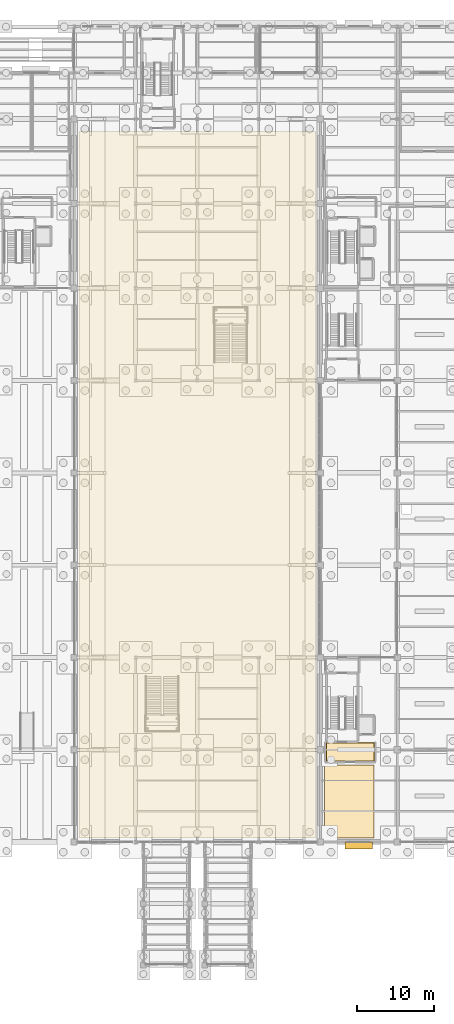
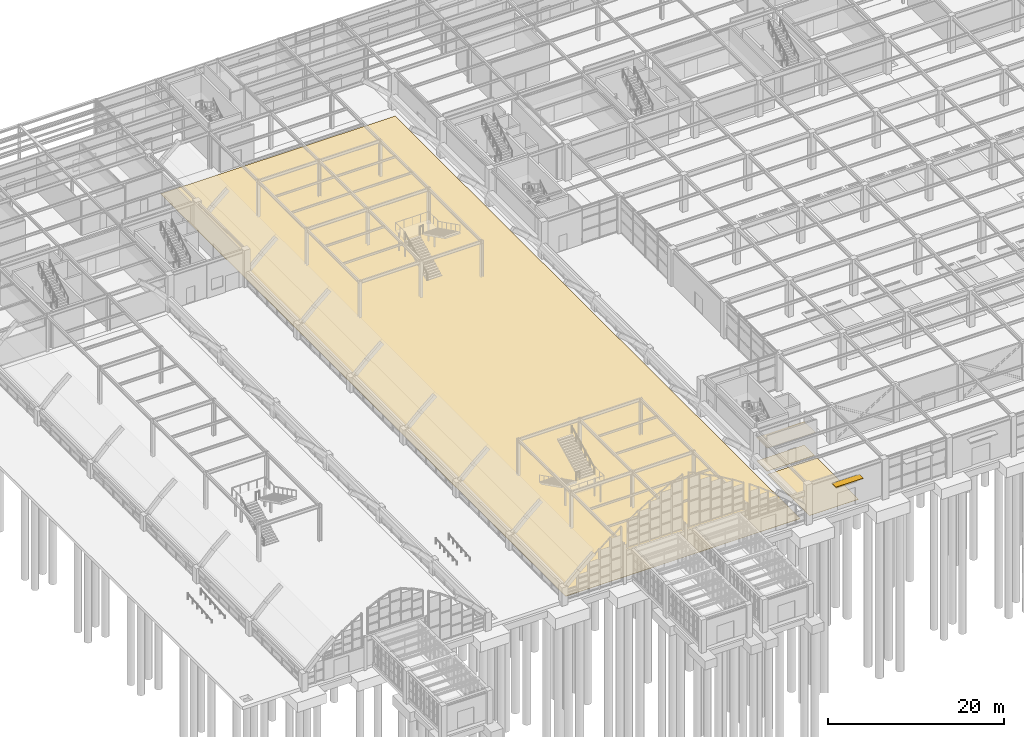
# One storey, part 118 of 129: 4 coverings, 1 shading device.
"""IFC4 building model written with IfcOpenShell, lengths in metres."""

from ifc_helpers import new_model, si_unit, direction, frame, origin, origin_2d, place, context, subcontext, project, spatial, polyline, rectangle, outline, extrude, material, layer, layer_set, type_object, element, save


model = new_model("IFC4")

# Units and contexts
model_context = context("Model", 3, precision=1e-05, world=origin(), true_north=direction((0.0, 1.0)))
body_context = subcontext(model_context, "Body", "Model", "MODEL_VIEW")
ifc_project = project(units=[si_unit("LENGTHUNIT", "METRE"), si_unit("AREAUNIT", "SQUARE_METRE"), si_unit("VOLUMEUNIT", "CUBIC_METRE"), si_unit("PLANEANGLEUNIT", "RADIAN"), si_unit("MASSUNIT", "GRAM", prefix="KILO")], contexts=[model_context])

# Site, building, storey
site_placement = place(None, origin())
site = spatial("IfcSite", under=ifc_project, at=site_placement, CompositionType="ELEMENT")
building_placement = place(site_placement, origin())
building = spatial("IfcBuilding", under=site, at=building_placement, Name="Sitalva Quay Ferry Terminal", CompositionType="ELEMENT")
storey_placement = place(building_placement, origin())
storey = spatial("IfcBuildingStorey", under=building, at=storey_placement, Name="L01", CompositionType="ELEMENT", Elevation=0.0)

# Coverings
ifc_material_1 = material(Name="Moisture-Resistant Acoustic Gypsum Ceiling", Category="gypsum")
ifc_layer_1 = layer(ifc_material_1, 0.02490234375)
ifc_layer_set_1 = layer_set([ifc_layer_1], Name="Moisture-Resistant Acoustic Gypsum Ceiling")
covering_type_1 = type_object("IfcCoveringType", Name="Ceiling_GypsumMoisture_25", PredefinedType="CEILING", material=ifc_layer_set_1)
covering_1_placement = place(storey_placement, frame((0.0, 0.0, 3.22509765625)))
element("IfcCovering", 1, at=covering_1_placement, inside=storey, type_object=covering_type_1, Name="Firefighting & Lift Lobby C6 ceiling", PredefinedType="CEILING", context=body_context, shape_type="SweptSolid", body=[
    extrude(outline(polyline([(74.739990234375, 16.489990234375), (81.06005859375, 16.489990234375), (81.06005859375, 18.9599609375), (74.739990234375, 18.9599609375), (74.739990234375, 16.489990234375)])), origin(), (0.0, 0.0, 1.0), 0.02490234375),
])
ifc_material_2 = material(Name="Flamed Non-Slip Granite Paving", Category="masonry")
ifc_layer_2 = layer(ifc_material_2, 0.034912109375)
ifc_layer_set_2 = layer_set([ifc_layer_2], Name="Flamed Non-Slip Granite Paving")
covering_type_2 = type_object("IfcCoveringType", Name="Finish_Granite_35", PredefinedType="FLOORING", material=ifc_layer_set_2)
covering_2_placement = place(storey_placement, origin())
element("IfcCovering", 2, at=covering_2_placement, inside=storey, type_object=covering_type_2, Name="Firefighting & Lift Lobby C6 floor finish", PredefinedType="FLOORING", context=body_context, shape_type="SweptSolid", body=[
    extrude(outline(polyline([(74.7900390625, 16.5400390625), (81.010009765625, 16.5400390625), (81.010009765625, 18.909912109375), (74.7900390625, 18.909912109375), (74.7900390625, 16.5400390625)])), origin(), (0.0, 0.0, 1.0), 0.034912109375),
])
covering_3_placement = place(storey_placement, origin())
element("IfcCovering", 3, at=covering_3_placement, inside=storey, type_object=covering_type_2, Name="Main Ferry Departure Concourse Hall flooring", PredefinedType="FLOORING", context=body_context, shape_type="SweptSolid", body=[
    extrude(outline(polyline([(42.64990234375, 6.550048828125), (73.35009765625, 6.550048828125), (73.35009765625, 98.39990234375), (42.64990234375, 98.39990234375), (42.64990234375, 6.550048828125)])), origin(), (0.0, 0.0, 1.0), 0.034912109375),
])
covering_4_placement = place(storey_placement, origin())
element("IfcCovering", 4, at=covering_4_placement, inside=storey, type_object=covering_type_2, Name="South Promenade Prow Concourse flooring", PredefinedType="FLOORING", context=body_context, shape_type="SweptSolid", body=[
    extrude(outline(polyline([(74.550048828125, 6.550048828125), (81.0, 6.550048828125), (81.0, 16.0), (74.550048828125, 16.0), (74.550048828125, 6.550048828125)])), origin(), (0.0, 0.0, 1.0), 0.034912109375),
])

# Shading device
ifc_material_3 = material(Name="Anodised Marine Aluminium 6063-T6", Category="aluminium")
shading_device_type = type_object("IfcShadingDeviceType", Name="Shade_HorizontalLouvre_900", PredefinedType="USERDEFINED", material=ifc_material_3)
shading_device_placement = place(storey_placement, frame((79.0, 5.580078125, 3.8076171875), z_axis=(0.0, 0.0, 1.0), x_axis=(1.0, 0.0, 0.0)))
element("IfcShadingDevice", 5, at=shading_device_placement, inside=storey, type_object=shading_device_type, Name="Monsoon sunshade canopy BS-001", ObjectType="SUNSHADE", PredefinedType="USERDEFINED", context=body_context, shape_type="SweptSolid", body=[
    extrude(rectangle(XDim=3.60009765625, YDim=0.89990234375, at=origin_2d()), origin(), (0.0, 0.0, 1.0), 0.0849609375),
])

save(model, "model.ifc")
